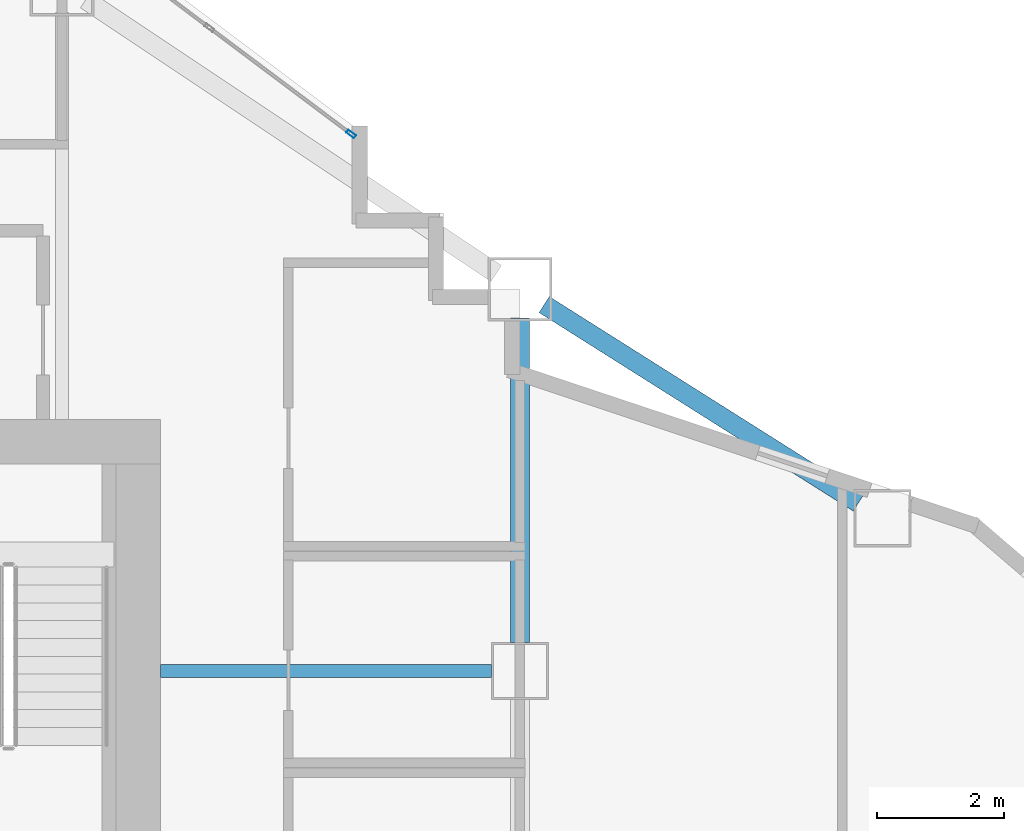
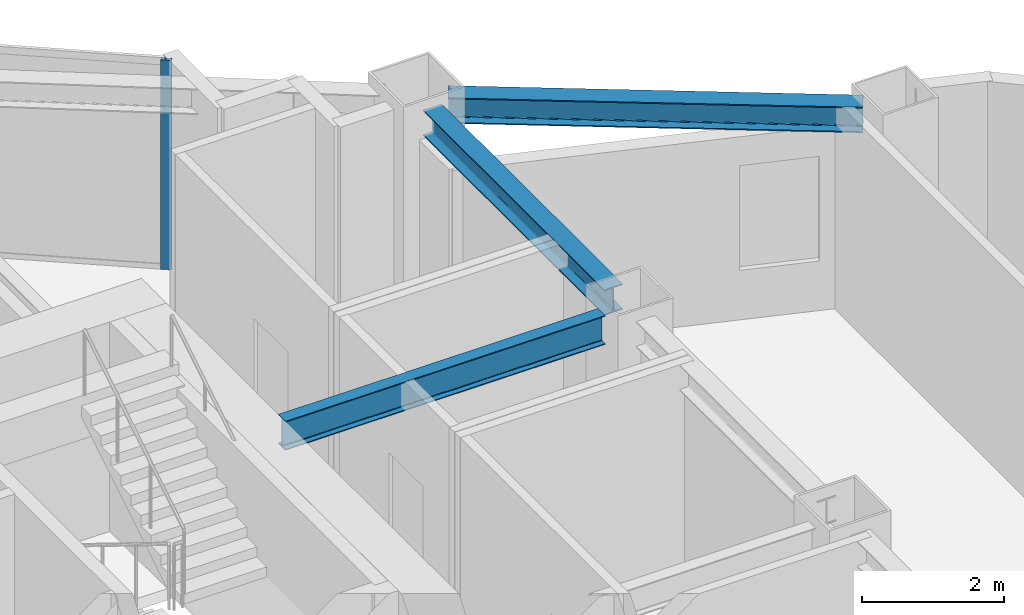
# One storey, part 5 of 14: 3 beams, 1 member, 1 element without a shape of its own.
"""IFC4 building model written with IfcOpenShell, lengths in metres."""

import ifcopenshell
import ifcopenshell.guid

model = None  # the IFC model being written
_history = None  # IfcOwnerHistory: only IFC2X3 demands one
_inside = {}  # id of a spatial element -> (the spatial element, [elements in it])
_under = {}  # id of a project, library or spatial element -> (it, [spatial elements below it])
_declared = {}  # id of a project -> (the project, [libraries it declares])
_typed = {}  # id of a type object -> (the type object, [elements of that type])
_made_of = {}  # id of a material, layer set ... -> (it, [elements and type objects made of it])


def new_model(schema):
    """Start an empty IFC model of exactly this schema.

    Asked for "IFC4X3", IfcOpenShell would pick the latest addendum, in which some entities
    have other attributes; the version numbers below select the first issue.
    IFC2X3 requires an IfcOwnerHistory on every rooted entity: one is made here for all.
    """
    global model, _history
    if schema == "IFC4X3":
        model = ifcopenshell.file(schema_version=(4, 3, 0, 0))
    else:
        model = ifcopenshell.file(schema=schema)
    _inside.clear()
    _under.clear()
    _declared.clear()
    _typed.clear()
    _made_of.clear()
    _history = None
    if model.schema == "IFC2X3":
        org = make("IfcOrganization", Name="unknown")
        user = make(
            "IfcPersonAndOrganization",
            ThePerson=make("IfcPerson", FamilyName="unknown"),
            TheOrganization=org,
        )
        app = make(
            "IfcApplication",
            ApplicationDeveloper=org,
            Version="unknown",
            ApplicationFullName="unknown",
            ApplicationIdentifier="unknown",
        )
        _history = make(
            "IfcOwnerHistory",
            OwningUser=user,
            OwningApplication=app,
            ChangeAction="ADDED",
            CreationDate=0,
        )
    return model


def make(cls, **values):
    """One entity of the class cls with the attributes given. An attribute that is None is left unset."""
    return model.create_entity(
        cls, **{name: value for name, value in values.items() if value is not None}
    )


def rooted(cls, **values):
    """An entity with a GlobalId (a new one), such as an element, a storey or a relation."""
    return make(cls, GlobalId=ifcopenshell.guid.new(), OwnerHistory=_history, **values)


def si_unit(unit_type, name, prefix=None):
    """IfcSIUnit, for example si_unit("LENGTHUNIT", "METRE", prefix="MILLI")."""
    return make("IfcSIUnit", UnitType=unit_type, Prefix=prefix, Name=name)


def assignment(units):
    """IfcUnitAssignment: the units of a project."""
    return None if units is None else make("IfcUnitAssignment", Units=units)


def point(xyz):
    """IfcCartesianPoint."""
    return None if xyz is None else make("IfcCartesianPoint", Coordinates=xyz)


def direction(xyz):
    """IfcDirection."""
    return None if xyz is None else make("IfcDirection", DirectionRatios=xyz)


def frame(location, z_axis=None, x_axis=None):
    """IfcAxis2Placement3D, a coordinate frame: its origin and axes. An axis left out is left unset."""
    return make(
        "IfcAxis2Placement3D",
        Location=point(location),
        Axis=direction(z_axis),
        RefDirection=direction(x_axis),
    )


def frame_2d(location, x_axis=None):
    """IfcAxis2Placement2D, a coordinate frame in the plane: its origin and x axis."""
    return make(
        "IfcAxis2Placement2D", Location=point(location), RefDirection=direction(x_axis)
    )


def origin():
    """The frame at (0, 0, 0) with its axes left unset."""
    return frame((0.0, 0.0, 0.0))


def origin_2d():
    """The frame at (0, 0) in the plane with its x axis left unset."""
    return frame_2d((0.0, 0.0))


def place(relative_to, where):
    """IfcLocalPlacement: puts the frame where relative to a parent placement (None: the world)."""
    return make(
        "IfcLocalPlacement", PlacementRelTo=relative_to, RelativePlacement=where
    )


def context(
    kind, dimensions, precision=None, world=None, true_north=None, identifier=None
):
    """IfcGeometricRepresentationContext, for example the 3D "Model" context."""
    return make(
        "IfcGeometricRepresentationContext",
        ContextIdentifier=identifier,
        ContextType=kind,
        CoordinateSpaceDimension=dimensions,
        Precision=precision,
        WorldCoordinateSystem=world,
        TrueNorth=true_north,
    )


def subcontext(parent, identifier, kind, view, scale=None):
    """IfcGeometricRepresentationSubContext, for example "Body" below "Model"."""
    return make(
        "IfcGeometricRepresentationSubContext",
        ContextIdentifier=identifier,
        ContextType=kind,
        ParentContext=parent,
        TargetScale=scale,
        TargetView=view,
    )


def project(units=None, contexts=None):
    """IfcProject with its units and contexts."""
    return rooted(
        "IfcProject",
        Name="project",
        RepresentationContexts=contexts,
        UnitsInContext=assignment(units),
    )


def spatial(cls, under=None, at=None, **own):
    """A site, building, storey or space (cls), placed at a placement, below another one or the project."""
    s = rooted(cls, ObjectPlacement=at, **own)
    if under is not None:
        _under.setdefault(under.id(), (under, []))[1].append(s)
    return s


def profile(cls, at=None, kind="AREA", **sizes):
    """A parametric profile (cls). Its sizes go by their IFC names, for example OverallWidth=200.0."""
    return make(cls, ProfileType=kind, Position=at, **sizes)


def hollow_rectangle(**sizes):
    """IfcRectangleHollowProfileDef."""
    return profile("IfcRectangleHollowProfileDef", **sizes)


def i_section(**sizes):
    """IfcIShapeProfileDef."""
    return profile("IfcIShapeProfileDef", **sizes)


def extrude(swept, where, along, depth):
    """IfcExtrudedAreaSolid: the profile swept, set in the frame where, extruded along a direction by depth."""
    return make(
        "IfcExtrudedAreaSolid",
        SweptArea=swept,
        Position=where,
        ExtrudedDirection=direction(along),
        Depth=depth,
    )


def shape(context_of_items, identifier, shape_type, items):
    """IfcShapeRepresentation: the items that make up one representation, for example the "Body"."""
    return make(
        "IfcShapeRepresentation",
        ContextOfItems=context_of_items,
        RepresentationIdentifier=identifier,
        RepresentationType=shape_type,
        Items=items,
    )


def material(Name=None, Category=None):
    """IfcMaterial."""
    return make("IfcMaterial", Name=Name, Category=Category)


def layer(
    of_material, thickness, ventilated=None, Name=None, Category=None, Priority=None
):
    """IfcMaterialLayer: one layer of a wall or slab, of a material (None: an air gap)."""
    return make(
        "IfcMaterialLayer",
        Material=of_material,
        LayerThickness=thickness,
        IsVentilated=ventilated,
        Name=Name,
        Category=Category,
        Priority=Priority,
    )


def layer_set(layers, Name=None):
    """IfcMaterialLayerSet."""
    return make("IfcMaterialLayerSet", MaterialLayers=layers, LayerSetName=Name)


def material_profile(
    of_material, cross_section, Name=None, Category=None, Priority=None
):
    """IfcMaterialProfile: a cross section and its material."""
    return make(
        "IfcMaterialProfile",
        Name=Name,
        Material=of_material,
        Profile=cross_section,
        Priority=Priority,
        Category=Category,
    )


def profile_set(profiles, Name=None, composite=None):
    """IfcMaterialProfileSet."""
    return make(
        "IfcMaterialProfileSet",
        Name=Name,
        MaterialProfiles=profiles,
        CompositeProfile=composite,
    )


def made_of(thing, what):
    """Note that an element or type object is made of a material, layer set ...; save() writes the relation."""
    if what is not None:
        _made_of.setdefault(what.id(), (what, []))[1].append(thing)
    return thing


def type_object(cls, material=None, **own):
    """A type object (cls), such as IfcWallType, which elements share."""
    return made_of(rooted(cls, **own), material)


def element(
    cls,
    number,
    at=None,
    inside=None,
    cuts=None,
    type_object=None,
    material=None,
    context=None,
    identifier="Body",
    shape_type=None,
    held_by="IfcProductDefinitionShape",
    body=None,
    shapes=None,
    **own,
):
    """One element of the class cls, such as IfcWall. Its Tag is "e" and its number.

    at: its placement. inside: the storey or other place that contains it. cuts: it is an
    opening in that element (IfcRelVoidsElement). A single representation is given by context,
    identifier, shape_type and body (its items); several are given by shapes. held_by: the class
    of the entity that holds the representations. save() writes the other relations.
    """
    e = rooted(cls, Tag="e%d" % number, ObjectPlacement=at, **own)
    if body is not None:
        shapes = [shape(context, identifier, shape_type, body)]
    if shapes is not None:
        e.Representation = make(held_by, Representations=shapes)
    if inside is not None:
        _inside.setdefault(inside.id(), (inside, []))[1].append(e)
    if cuts is not None:
        rooted(
            "IfcRelVoidsElement", RelatingBuildingElement=cuts, RelatedOpeningElement=e
        )
    if type_object is not None:
        _typed.setdefault(type_object.id(), (type_object, []))[1].append(e)
    return made_of(e, material)


def aggregate(whole, parts):
    """IfcRelAggregates: a whole, such as a stair, and the parts it consists of."""
    return rooted("IfcRelAggregates", RelatingObject=whole, RelatedObjects=parts)


def save(model, path):
    """Write the relations noted so far, then the file.

    IfcRelAggregates (storeys below a building ...), IfcRelContainedInSpatialStructure (elements
    in a storey), IfcRelDefinesByType, IfcRelAssociatesMaterial and IfcRelDeclares: one each for
    every whole, place, type object, material and project.
    """
    for whole, parts in _under.values():
        aggregate(whole, parts)
    for where, things in _inside.values():
        rooted(
            "IfcRelContainedInSpatialStructure",
            RelatedElements=things,
            RelatingStructure=where,
        )
    for kind, things in _typed.values():
        rooted("IfcRelDefinesByType", RelatedObjects=things, RelatingType=kind)
    for what, things in _made_of.values():
        rooted("IfcRelAssociatesMaterial", RelatedObjects=things, RelatingMaterial=what)
    for by, libraries in _declared.values():
        rooted("IfcRelDeclares", RelatingContext=by, RelatedDefinitions=libraries)
    model.write(path)


model = new_model("IFC4")

# Units and contexts
model_context = context("Model", 3, precision=1e-05, world=origin(), true_north=direction((0.0, 1.0)))
body_context = subcontext(model_context, "Body", "Model", "MODEL_VIEW")
ifc_project = project(units=[si_unit("LENGTHUNIT", "METRE"), si_unit("AREAUNIT", "SQUARE_METRE"), si_unit("VOLUMEUNIT", "CUBIC_METRE"), si_unit("PLANEANGLEUNIT", "RADIAN"), si_unit("MASSUNIT", "GRAM", prefix="KILO")], contexts=[model_context])

# Site, building, storey
site_placement = place(None, origin())
site = spatial("IfcSite", under=ifc_project, at=site_placement, CompositionType="ELEMENT")
building_placement = place(site_placement, origin())
building = spatial("IfcBuilding", under=site, at=building_placement, Name="Haolan Belvedere Tower", CompositionType="ELEMENT")
storey_placement = place(building_placement, frame((0.0, 0.0, 144.800048828125)))
storey = spatial("IfcBuildingStorey", under=building, at=storey_placement, Name="L36", CompositionType="ELEMENT", Elevation=144.800048828125)

# Beams
ifc_material_1 = material(Name="Steel Q355B", Category="steel")
ifc_material_profile_1 = material_profile(ifc_material_1, i_section(OverallWidth=0.300048828125, OverallDepth=0.43994140625, WebThickness=0.010986328125, FlangeThickness=0.01806640625, FilletRadius=0.02392578125, at=origin_2d()), Name="Steel Q355B")
ifc_profile_set_1 = profile_set([ifc_material_profile_1], Name="Steel Q355B")
beam_type_1 = type_object("IfcBeamType", Name="BM-HM440x300x11x18", PredefinedType="SPANDREL", material=ifc_profile_set_1)
beam_1_placement = place(storey_placement, frame((52.800048828125, 40.050048828125, 3.3798828125), z_axis=(0.0, 1.0, 0.0), x_axis=(-1.0, 0.0, 0.0)))
element("IfcBeam", 1, at=beam_1_placement, inside=storey, type_object=beam_type_1, Name="L36 spandrel girder TC-T3-E2-MC-T3-NE", PredefinedType="SPANDREL", context=body_context, shape_type="SweptSolid", body=[
    extrude(i_section(OverallWidth=0.300048828125, OverallDepth=0.43994140625, WebThickness=0.010986328125, FlangeThickness=0.01806640625, FilletRadius=0.02392578125, at=origin_2d()), origin(), (0.0, 0.0, 1.0), 5.099853515625),
])
beam_2_placement = place(storey_placement, frame((53.180419921875, 45.359619140625, 3.3798828125), z_axis=(0.845497840649, -0.533978839898, 0.0), x_axis=(0.533978839898, 0.845497840649, 0.0)))
element("IfcBeam", 2, at=beam_2_placement, inside=storey, type_object=beam_type_1, Name="L36 spandrel girder MC-T3-NE-TC-T4-N1", PredefinedType="SPANDREL", context=body_context, shape_type="SweptSolid", body=[
    extrude(i_section(OverallWidth=0.300048828125, OverallDepth=0.43994140625, WebThickness=0.010986328125, FlangeThickness=0.01806640625, FilletRadius=0.02392578125, at=origin_2d()), origin(), (0.0, 0.0, 1.0), 5.841796875),
])
ifc_material_profile_2 = material_profile(ifc_material_1, i_section(OverallWidth=0.199951171875, OverallDepth=0.5, WebThickness=0.010009765625, FlangeThickness=0.01611328125, FilletRadius=0.02001953125, at=origin_2d()), Name="Steel Q355B")
ifc_profile_set_2 = profile_set([ifc_material_profile_2], Name="Steel Q355B")
beam_type_2 = type_object("IfcBeamType", Name="BM-HN500x200x10x16", PredefinedType="BEAM", material=ifc_profile_set_2)
beam_3_placement = place(storey_placement, frame((52.35009765625, 39.60009765625, 3.349853515625), z_axis=(-1.0, 0.0, 0.0), x_axis=(0.0, -1.0, 0.0)))
element("IfcBeam", 3, at=beam_3_placement, inside=storey, type_object=beam_type_2, Name="L36 core tie beam from TC-T3-E2", PredefinedType="BEAM", context=body_context, shape_type="SweptSolid", body=[
    extrude(i_section(OverallWidth=0.199951171875, OverallDepth=0.5, WebThickness=0.010009765625, FlangeThickness=0.01611328125, FilletRadius=0.02001953125, at=origin_2d()), origin(), (0.0, 0.0, 1.0), 5.2001953125),
])

# Curtain wall, member
ifc_material_2 = material(Name="Anodised champagne-silver aluminium 6063-T6 and Low-E glass", Category="aluminium")
ifc_layer = layer(ifc_material_2, 0.155029296875, Name="Anodised champagne-silver aluminium 6063-T6 and Low-E glass")
ifc_layer_set = layer_set([ifc_layer], Name="Anodised champagne-silver aluminium 6063-T6 and Low-E glass")
curtain_wall_type = type_object("IfcCurtainWallType", Name="CW-SYS-03", PredefinedType="NOTDEFINED", material=ifc_layer_set)
curtain_wall_placement = place(storey_placement, origin())
curtain_wall = element("IfcCurtainWall", 4, at=curtain_wall_placement, inside=storey, type_object=curtain_wall_type, Name="L36 CW-SYS-03 ribbon curtain wall 26.1", PredefinedType="NOTDEFINED")
ifc_material_3 = material(Name="Anodised aluminium 6063-T6", Category="aluminium")
ifc_material_profile_3 = material_profile(ifc_material_3, hollow_rectangle(XDim=0.05810546875, YDim=0.155029296875, WallThickness=0.00390625, at=origin_2d()), Name="Anodised aluminium 6063-T6")
ifc_profile_set_3 = profile_set([ifc_material_profile_3], Name="Anodised aluminium 6063-T6")
member_type = type_object("IfcMemberType", Name="CW-SYS-03-MUL", PredefinedType="MULLION", material=ifc_profile_set_3)
member_placement = place(storey_placement, frame((50.144775390625, 48.04150390625, 0.0), z_axis=(0.0, 0.0, 1.0), x_axis=(-0.599994316874, -0.800004262313, 0.0)))
member = element("IfcMember", 5, at=member_placement, type_object=member_type, Name="CW-03 mullion 1", PredefinedType="MULLION", context=body_context, shape_type="SweptSolid", body=[
    extrude(hollow_rectangle(XDim=0.05810546875, YDim=0.155029296875, WallThickness=0.00390625, at=origin_2d()), origin(), (0.0, 0.0, 1.0), 3.599853515625),
])
aggregate(curtain_wall, [member])

save(model, "model.ifc")
